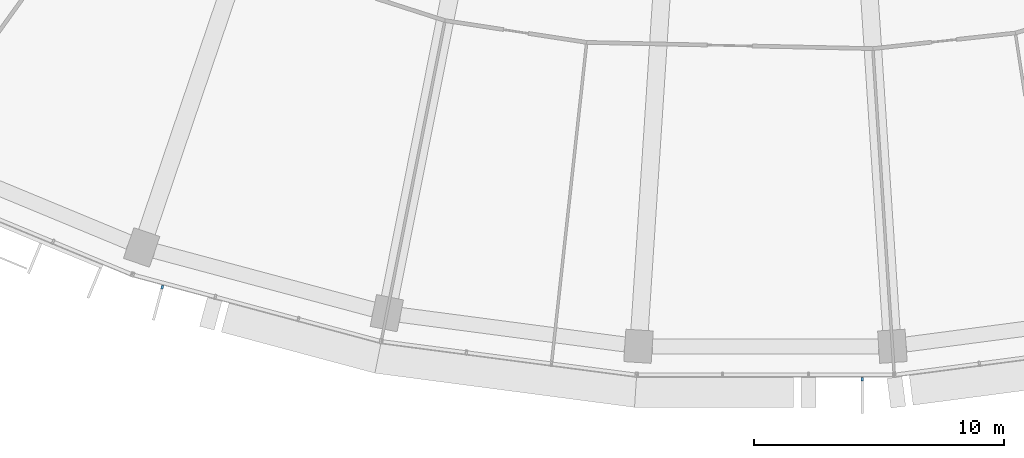
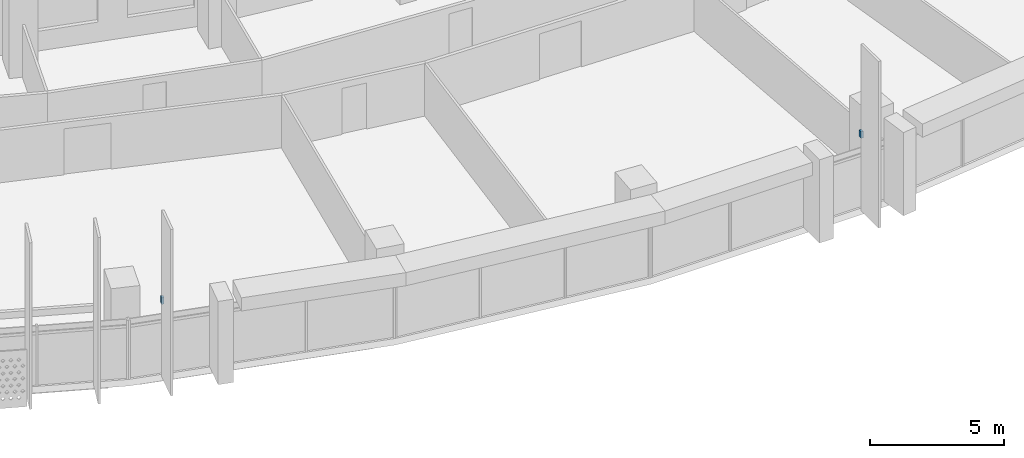
# One storey, part 9 of 27: 2 discrete accessories.
"""IFC4 building model written with IfcOpenShell, lengths in metres."""

from ifc_helpers import new_model, si_unit, direction, frame, origin, origin_2d, place, context, subcontext, project, spatial, rectangle, extrude, material, type_object, element, save


model = new_model("IFC4")

# Units and contexts
model_context = context("Model", 3, precision=1e-05, world=origin(), true_north=direction((0.0, 1.0)))
body_context = subcontext(model_context, "Body", "Model", "MODEL_VIEW")
ifc_project = project(units=[si_unit("LENGTHUNIT", "METRE"), si_unit("AREAUNIT", "SQUARE_METRE"), si_unit("VOLUMEUNIT", "CUBIC_METRE"), si_unit("PLANEANGLEUNIT", "RADIAN"), si_unit("MASSUNIT", "GRAM", prefix="KILO")], contexts=[model_context])

# Site, building, storey
site_placement = place(None, origin())
site = spatial("IfcSite", under=ifc_project, at=site_placement, CompositionType="ELEMENT")
building_placement = place(site_placement, origin())
building = spatial("IfcBuilding", under=site, at=building_placement, Name="Qamariyya Broadcast Tower", CompositionType="ELEMENT")
storey_placement = place(building_placement, frame((0.0, 0.0, 187.300048828125)))
storey = spatial("IfcBuildingStorey", under=building, at=storey_placement, Name="L44", CompositionType="ELEMENT", Elevation=187.300048828125)

# Discrete accessories
ifc_material = material(Name="Stainless steel 316", Category="steel")
discrete_accessory_type = type_object("IfcDiscreteAccessoryType", Name="Slab edge fixing angle, stainless steel", PredefinedType="BRACKET", material=ifc_material)
for number, where, z_axis, x_axis, name in (
    (1, (-24.16552734375, -75.21435546875, 3.2998046875), (0.0, 0.0, 1.0), (0.965925826289, -0.258819045103, 0.0), "e-br-L44-05-0"),
    (2, (3.875244140625, -78.90576171875, 3.2998046875), (0.0, 0.0, 1.0), (1.0, 0.0, 0.0), "e-br-L44-07-0"),
):
    element("IfcDiscreteAccessory", number, at=place(storey_placement, frame(where, z_axis=z_axis, x_axis=x_axis)), inside=storey, type_object=discrete_accessory_type, Name=name, PredefinedType="BRACKET", context=body_context, shape_type="SweptSolid", body=[
        extrude(rectangle(XDim=0.10009765625, YDim=0.14990234375, at=origin_2d()), origin(), (0.0, 0.0, 1.0), 0.300048828125),
    ])

save(model, "model.ifc")
